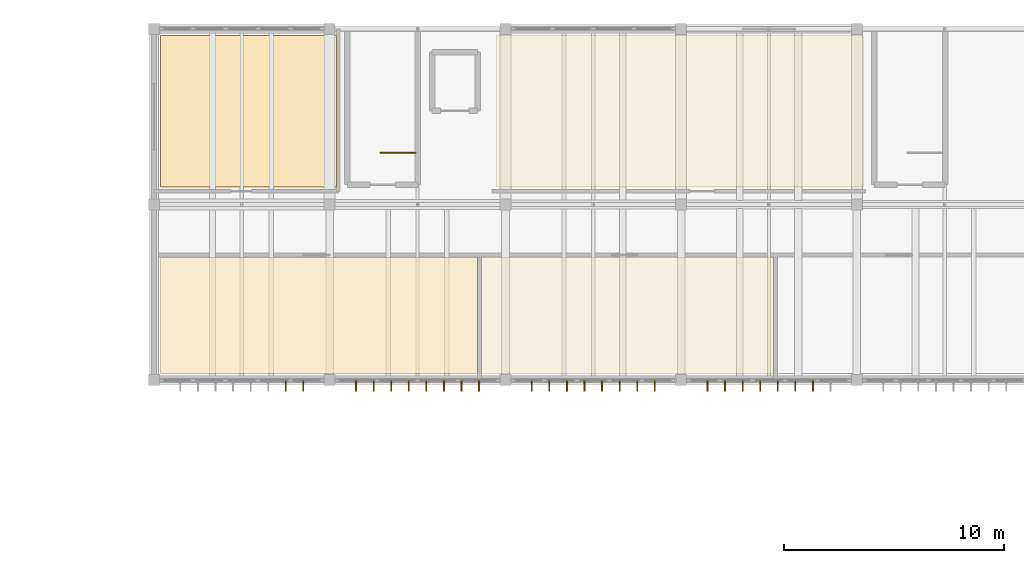
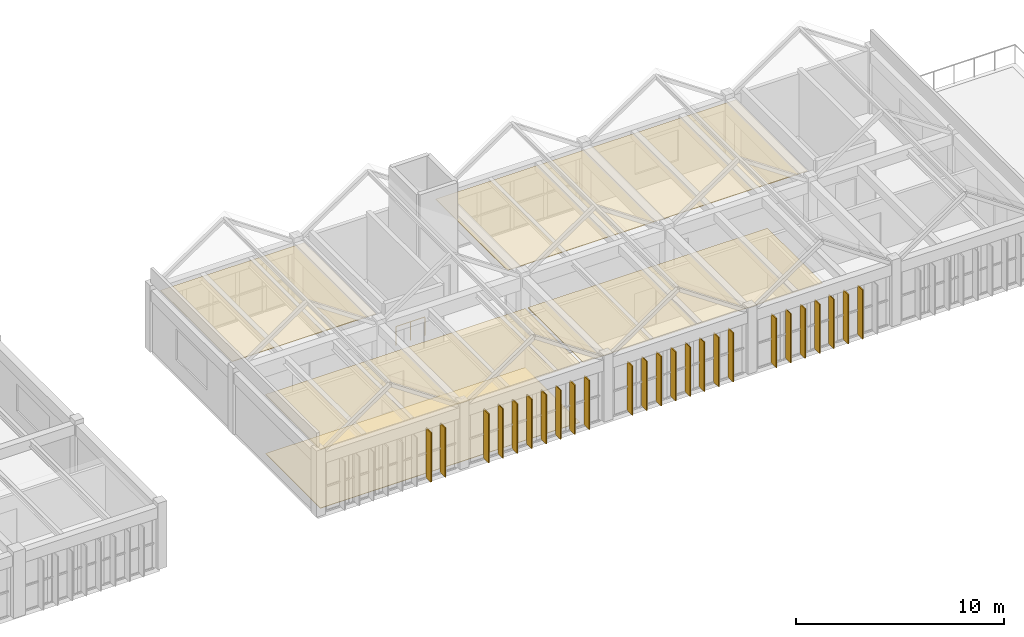
# One storey, part 29 of 31: 25 shading devices, 5 coverings, 1 railing.
"""IFC4 building model written with IfcOpenShell, lengths in metres."""

import ifcopenshell
import ifcopenshell.guid

model = None  # the IFC model being written
_history = None  # IfcOwnerHistory: only IFC2X3 demands one
_inside = {}  # id of a spatial element -> (the spatial element, [elements in it])
_under = {}  # id of a project, library or spatial element -> (it, [spatial elements below it])
_declared = {}  # id of a project -> (the project, [libraries it declares])
_typed = {}  # id of a type object -> (the type object, [elements of that type])
_made_of = {}  # id of a material, layer set ... -> (it, [elements and type objects made of it])


def new_model(schema):
    """Start an empty IFC model of exactly this schema.

    Asked for "IFC4X3", IfcOpenShell would pick the latest addendum, in which some entities
    have other attributes; the version numbers below select the first issue.
    IFC2X3 requires an IfcOwnerHistory on every rooted entity: one is made here for all.
    """
    global model, _history
    if schema == "IFC4X3":
        model = ifcopenshell.file(schema_version=(4, 3, 0, 0))
    else:
        model = ifcopenshell.file(schema=schema)
    _inside.clear()
    _under.clear()
    _declared.clear()
    _typed.clear()
    _made_of.clear()
    _history = None
    if model.schema == "IFC2X3":
        org = make("IfcOrganization", Name="unknown")
        user = make(
            "IfcPersonAndOrganization",
            ThePerson=make("IfcPerson", FamilyName="unknown"),
            TheOrganization=org,
        )
        app = make(
            "IfcApplication",
            ApplicationDeveloper=org,
            Version="unknown",
            ApplicationFullName="unknown",
            ApplicationIdentifier="unknown",
        )
        _history = make(
            "IfcOwnerHistory",
            OwningUser=user,
            OwningApplication=app,
            ChangeAction="ADDED",
            CreationDate=0,
        )
    return model


def make(cls, **values):
    """One entity of the class cls with the attributes given. An attribute that is None is left unset."""
    return model.create_entity(
        cls, **{name: value for name, value in values.items() if value is not None}
    )


def rooted(cls, **values):
    """An entity with a GlobalId (a new one), such as an element, a storey or a relation."""
    return make(cls, GlobalId=ifcopenshell.guid.new(), OwnerHistory=_history, **values)


def si_unit(unit_type, name, prefix=None):
    """IfcSIUnit, for example si_unit("LENGTHUNIT", "METRE", prefix="MILLI")."""
    return make("IfcSIUnit", UnitType=unit_type, Prefix=prefix, Name=name)


def assignment(units):
    """IfcUnitAssignment: the units of a project."""
    return None if units is None else make("IfcUnitAssignment", Units=units)


def point(xyz):
    """IfcCartesianPoint."""
    return None if xyz is None else make("IfcCartesianPoint", Coordinates=xyz)


def direction(xyz):
    """IfcDirection."""
    return None if xyz is None else make("IfcDirection", DirectionRatios=xyz)


def frame(location, z_axis=None, x_axis=None):
    """IfcAxis2Placement3D, a coordinate frame: its origin and axes. An axis left out is left unset."""
    return make(
        "IfcAxis2Placement3D",
        Location=point(location),
        Axis=direction(z_axis),
        RefDirection=direction(x_axis),
    )


def frame_2d(location, x_axis=None):
    """IfcAxis2Placement2D, a coordinate frame in the plane: its origin and x axis."""
    return make(
        "IfcAxis2Placement2D", Location=point(location), RefDirection=direction(x_axis)
    )


def origin():
    """The frame at (0, 0, 0) with its axes left unset."""
    return frame((0.0, 0.0, 0.0))


def origin_2d():
    """The frame at (0, 0) in the plane with its x axis left unset."""
    return frame_2d((0.0, 0.0))


def place(relative_to, where):
    """IfcLocalPlacement: puts the frame where relative to a parent placement (None: the world)."""
    return make(
        "IfcLocalPlacement", PlacementRelTo=relative_to, RelativePlacement=where
    )


def context(
    kind, dimensions, precision=None, world=None, true_north=None, identifier=None
):
    """IfcGeometricRepresentationContext, for example the 3D "Model" context."""
    return make(
        "IfcGeometricRepresentationContext",
        ContextIdentifier=identifier,
        ContextType=kind,
        CoordinateSpaceDimension=dimensions,
        Precision=precision,
        WorldCoordinateSystem=world,
        TrueNorth=true_north,
    )


def subcontext(parent, identifier, kind, view, scale=None):
    """IfcGeometricRepresentationSubContext, for example "Body" below "Model"."""
    return make(
        "IfcGeometricRepresentationSubContext",
        ContextIdentifier=identifier,
        ContextType=kind,
        ParentContext=parent,
        TargetScale=scale,
        TargetView=view,
    )


def project(units=None, contexts=None):
    """IfcProject with its units and contexts."""
    return rooted(
        "IfcProject",
        Name="project",
        RepresentationContexts=contexts,
        UnitsInContext=assignment(units),
    )


def spatial(cls, under=None, at=None, **own):
    """A site, building, storey or space (cls), placed at a placement, below another one or the project."""
    s = rooted(cls, ObjectPlacement=at, **own)
    if under is not None:
        _under.setdefault(under.id(), (under, []))[1].append(s)
    return s


def polyline(points):
    """IfcPolyline through the points."""
    return make("IfcPolyline", Points=[point(p) for p in points])


def profile(cls, at=None, kind="AREA", **sizes):
    """A parametric profile (cls). Its sizes go by their IFC names, for example OverallWidth=200.0."""
    return make(cls, ProfileType=kind, Position=at, **sizes)


def rectangle(**sizes):
    """IfcRectangleProfileDef."""
    return profile("IfcRectangleProfileDef", **sizes)


def circle(**sizes):
    """IfcCircleProfileDef."""
    return profile("IfcCircleProfileDef", **sizes)


def outline(outer, holes=None, kind="AREA"):
    """IfcArbitraryClosedProfileDef: a profile drawn as a closed curve; with holes, ...WithVoids."""
    if holes is None:
        return make("IfcArbitraryClosedProfileDef", ProfileType=kind, OuterCurve=outer)
    return make(
        "IfcArbitraryProfileDefWithVoids",
        ProfileType=kind,
        OuterCurve=outer,
        InnerCurves=holes,
    )


def extrude(swept, where, along, depth):
    """IfcExtrudedAreaSolid: the profile swept, set in the frame where, extruded along a direction by depth."""
    return make(
        "IfcExtrudedAreaSolid",
        SweptArea=swept,
        Position=where,
        ExtrudedDirection=direction(along),
        Depth=depth,
    )


def shape(context_of_items, identifier, shape_type, items):
    """IfcShapeRepresentation: the items that make up one representation, for example the "Body"."""
    return make(
        "IfcShapeRepresentation",
        ContextOfItems=context_of_items,
        RepresentationIdentifier=identifier,
        RepresentationType=shape_type,
        Items=items,
    )


def material(Name=None, Category=None):
    """IfcMaterial."""
    return make("IfcMaterial", Name=Name, Category=Category)


def layer(
    of_material, thickness, ventilated=None, Name=None, Category=None, Priority=None
):
    """IfcMaterialLayer: one layer of a wall or slab, of a material (None: an air gap)."""
    return make(
        "IfcMaterialLayer",
        Material=of_material,
        LayerThickness=thickness,
        IsVentilated=ventilated,
        Name=Name,
        Category=Category,
        Priority=Priority,
    )


def layer_set(layers, Name=None):
    """IfcMaterialLayerSet."""
    return make("IfcMaterialLayerSet", MaterialLayers=layers, LayerSetName=Name)


def made_of(thing, what):
    """Note that an element or type object is made of a material, layer set ...; save() writes the relation."""
    if what is not None:
        _made_of.setdefault(what.id(), (what, []))[1].append(thing)
    return thing


def type_object(cls, material=None, **own):
    """A type object (cls), such as IfcWallType, which elements share."""
    return made_of(rooted(cls, **own), material)


def element(
    cls,
    number,
    at=None,
    inside=None,
    cuts=None,
    type_object=None,
    material=None,
    context=None,
    identifier="Body",
    shape_type=None,
    held_by="IfcProductDefinitionShape",
    body=None,
    shapes=None,
    **own,
):
    """One element of the class cls, such as IfcWall. Its Tag is "e" and its number.

    at: its placement. inside: the storey or other place that contains it. cuts: it is an
    opening in that element (IfcRelVoidsElement). A single representation is given by context,
    identifier, shape_type and body (its items); several are given by shapes. held_by: the class
    of the entity that holds the representations. save() writes the other relations.
    """
    e = rooted(cls, Tag="e%d" % number, ObjectPlacement=at, **own)
    if body is not None:
        shapes = [shape(context, identifier, shape_type, body)]
    if shapes is not None:
        e.Representation = make(held_by, Representations=shapes)
    if inside is not None:
        _inside.setdefault(inside.id(), (inside, []))[1].append(e)
    if cuts is not None:
        rooted(
            "IfcRelVoidsElement", RelatingBuildingElement=cuts, RelatedOpeningElement=e
        )
    if type_object is not None:
        _typed.setdefault(type_object.id(), (type_object, []))[1].append(e)
    return made_of(e, material)


def aggregate(whole, parts):
    """IfcRelAggregates: a whole, such as a stair, and the parts it consists of."""
    return rooted("IfcRelAggregates", RelatingObject=whole, RelatedObjects=parts)


def save(model, path):
    """Write the relations noted so far, then the file.

    IfcRelAggregates (storeys below a building ...), IfcRelContainedInSpatialStructure (elements
    in a storey), IfcRelDefinesByType, IfcRelAssociatesMaterial and IfcRelDeclares: one each for
    every whole, place, type object, material and project.
    """
    for whole, parts in _under.values():
        aggregate(whole, parts)
    for where, things in _inside.values():
        rooted(
            "IfcRelContainedInSpatialStructure",
            RelatedElements=things,
            RelatingStructure=where,
        )
    for kind, things in _typed.values():
        rooted("IfcRelDefinesByType", RelatedObjects=things, RelatingType=kind)
    for what, things in _made_of.values():
        rooted("IfcRelAssociatesMaterial", RelatedObjects=things, RelatingMaterial=what)
    for by, libraries in _declared.values():
        rooted("IfcRelDeclares", RelatingContext=by, RelatedDefinitions=libraries)
    model.write(path)


model = new_model("IFC4")

# Units and contexts
model_context = context("Model", 3, precision=1e-05, world=origin(), true_north=direction((0.0, 1.0)))
body_context = subcontext(model_context, "Body", "Model", "MODEL_VIEW")
ifc_project = project(units=[si_unit("LENGTHUNIT", "METRE"), si_unit("AREAUNIT", "SQUARE_METRE"), si_unit("VOLUMEUNIT", "CUBIC_METRE"), si_unit("PLANEANGLEUNIT", "RADIAN"), si_unit("MASSUNIT", "GRAM", prefix="KILO")], contexts=[model_context])

# Site, building, storey
site_placement = place(None, origin())
site = spatial("IfcSite", under=ifc_project, at=site_placement, CompositionType="ELEMENT")
building_placement = place(site_placement, origin())
building = spatial("IfcBuilding", under=site, at=building_placement, Name="Tlaxcora Railside Police Headquarters", CompositionType="ELEMENT")
storey_placement = place(building_placement, frame((0.0, 0.0, 18.0)))
storey = spatial("IfcBuildingStorey", under=building, at=storey_placement, Name="L04", CompositionType="ELEMENT", Elevation=18.0)

# Coverings
ifc_material_1 = material(Name="Mineral-fibre acoustic ceiling tile")
ifc_layer_1 = layer(ifc_material_1, 0.034912109375, Name="Mineral-fibre acoustic ceiling tile")
ifc_layer_set_1 = layer_set([ifc_layer_1], Name="Mineral-fibre acoustic ceiling tile")
covering_type_1 = type_object("IfcCoveringType", Name="Acoustic Suspended Ceiling CLG-01", PredefinedType="CEILING", material=ifc_layer_set_1)
covering_1_placement = place(storey_placement, frame((0.0, 0.0, 3.465087890625)))
element("IfcCovering", 1, at=covering_1_placement, inside=storey, type_object=covering_type_1, Name="Cold-Case Evidence Review and Standards Archive suspended ceiling", PredefinedType="CEILING", context=body_context, shape_type="SweptSolid", body=[
    extrude(outline(polyline([(117.696044921875, 77.10009765625), (131.014892578125, 77.10009765625), (131.014892578125, 82.39990234375), (117.696044921875, 82.39990234375), (117.696044921875, 77.10009765625)])), origin(), (0.0, 0.0, 1.0), 0.034912109375),
])
covering_2_placement = place(storey_placement, frame((0.0, 0.0, 3.465087890625)))
element("IfcCovering", 2, at=covering_2_placement, inside=storey, type_object=covering_type_1, Name="Accessible WC and Lab Restrooms L04 suspended ceiling", PredefinedType="CEILING", context=body_context, shape_type="SweptSolid", body=[
    extrude(outline(polyline([(103.10009765625, 85.60009765625), (111.10009765625, 85.60009765625), (111.10009765625, 92.5), (103.10009765625, 92.5), (103.10009765625, 85.60009765625)])), origin(), (0.0, 0.0, 1.0), 0.034912109375),
])
covering_3_placement = place(storey_placement, frame((0.0, 0.0, 3.465087890625)))
element("IfcCovering", 3, at=covering_3_placement, inside=storey, type_object=covering_type_1, Name="Chief Forensic Director Office suspended ceiling", PredefinedType="CEILING", context=body_context, shape_type="SweptSolid", body=[
    extrude(outline(polyline([(118.39990234375, 85.60009765625), (135.10009765625, 85.60009765625), (135.10009765625, 92.5), (118.39990234375, 92.5), (118.39990234375, 85.60009765625)])), origin(), (0.0, 0.0, 1.0), 0.034912109375),
])
ifc_material_2 = material(Name="Heavy-duty resin and raised-access technical flooring")
ifc_layer_2 = layer(ifc_material_2, 0.02490234375, Name="Heavy-duty resin and raised-access technical flooring")
ifc_layer_set_2 = layer_set([ifc_layer_2], Name="Heavy-duty resin and raised-access technical flooring")
covering_type_2 = type_object("IfcCoveringType", Name="Epoxy Chemical-Resistant Lab Flooring FLR-02", PredefinedType="FLOORING", material=ifc_layer_set_2)
covering_4_placement = place(storey_placement, origin())
element("IfcCovering", 4, at=covering_4_placement, inside=storey, type_object=covering_type_2, Name="Forensic Quality Assurance and Metrology Laboratory technical floor finish", PredefinedType="FLOORING", context=body_context, shape_type="SweptSolid", body=[
    extrude(outline(polyline([(103.10009765625, 77.10009765625), (117.535888671875, 77.10009765625), (117.535888671875, 82.39990234375), (103.10009765625, 82.39990234375), (103.10009765625, 77.10009765625)])), origin(), (0.0, 0.0, 1.0), 0.02490234375),
])
ifc_layer_3 = layer(ifc_material_1, 0.044921875, Name="Mineral-fibre acoustic ceiling tile")
ifc_layer_set_3 = layer_set([ifc_layer_3], Name="Mineral-fibre acoustic ceiling tile")
covering_type_3 = type_object("IfcCoveringType", Name="Laboratory Hygienic Ceiling CLG-02", PredefinedType="CEILING", material=ifc_layer_set_3)
covering_5_placement = place(storey_placement, frame((0.0, 0.0, 3.455078125)))
element("IfcCovering", 5, at=covering_5_placement, inside=storey, type_object=covering_type_3, Name="Forensic Quality Assurance and Metrology Laboratory suspended ceiling", PredefinedType="CEILING", context=body_context, shape_type="SweptSolid", body=[
    extrude(outline(polyline([(103.10009765625, 77.10009765625), (117.535888671875, 77.10009765625), (117.535888671875, 82.39990234375), (103.10009765625, 82.39990234375), (103.10009765625, 77.10009765625)])), origin(), (0.0, 0.0, 1.0), 0.044921875),
])

# Shading devices
ifc_material_3 = material(Name="Bronze-anodised perforated aluminium sheet", Category="aluminium")
ifc_layer_4 = layer(ifc_material_3, 0.06494140625, Name="Bronze-anodised perforated aluminium sheet")
ifc_layer_set_4 = layer_set([ifc_layer_4], Name="Bronze-anodised perforated aluminium sheet")
shading_device_type = type_object("IfcShadingDeviceType", Name="Solar Control Fin SF-02", PredefinedType="JALOUSIE", material=ifc_layer_set_4)
for number, where, z_axis, x_axis, name in (
    (6, (108.800048828125, 76.5400390625, 0.0400390625), (0.0, 0.0, 1.0), (0.0, -1.0, 0.0), "Vertical solar fin 934"),
    (7, (109.60009765625, 76.5400390625, 0.0400390625), (0.0, 0.0, 1.0), (0.0, -1.0, 0.0), "Vertical solar fin 935"),
    (8, (112.0, 76.5400390625, 0.0400390625), (0.0, 0.0, 1.0), (0.0, -1.0, 0.0), "Vertical solar fin 936"),
    (9, (112.800048828125, 76.5400390625, 0.0400390625), (0.0, 0.0, 1.0), (0.0, -1.0, 0.0), "Vertical solar fin 937"),
    (10, (113.60009765625, 76.5400390625, 0.0400390625), (0.0, 0.0, 1.0), (0.0, -1.0, 0.0), "Vertical solar fin 938"),
    (11, (114.39990234375, 76.5400390625, 0.0400390625), (0.0, 0.0, 1.0), (0.0, -1.0, 0.0), "Vertical solar fin 939"),
    (12, (115.199951171875, 76.5400390625, 0.0400390625), (0.0, 0.0, 1.0), (0.0, -1.0, 0.0), "Vertical solar fin 940"),
    (13, (116.0, 76.5400390625, 0.0400390625), (0.0, 0.0, 1.0), (0.0, -1.0, 0.0), "Vertical solar fin 941"),
    (14, (116.800048828125, 76.5400390625, 0.0400390625), (0.0, 0.0, 1.0), (0.0, -1.0, 0.0), "Vertical solar fin 942"),
    (15, (117.60009765625, 76.5400390625, 0.0400390625), (0.0, 0.0, 1.0), (0.0, -1.0, 0.0), "Vertical solar fin 943"),
    (16, (120.0, 76.5400390625, 0.0400390625), (0.0, 0.0, 1.0), (0.0, -1.0, 0.0), "Vertical solar fin 944"),
    (17, (120.800048828125, 76.5400390625, 0.0400390625), (0.0, 0.0, 1.0), (0.0, -1.0, 0.0), "Vertical solar fin 945"),
    (18, (121.60009765625, 76.5400390625, 0.0400390625), (0.0, 0.0, 1.0), (0.0, -1.0, 0.0), "Vertical solar fin 946"),
    (19, (122.39990234375, 76.5400390625, 0.0400390625), (0.0, 0.0, 1.0), (0.0, -1.0, 0.0), "Vertical solar fin 947"),
    (20, (123.199951171875, 76.5400390625, 0.0400390625), (0.0, 0.0, 1.0), (0.0, -1.0, 0.0), "Vertical solar fin 948"),
    (21, (124.0, 76.5400390625, 0.0400390625), (0.0, 0.0, 1.0), (0.0, -1.0, 0.0), "Vertical solar fin 949"),
    (22, (124.800048828125, 76.5400390625, 0.0400390625), (0.0, 0.0, 1.0), (0.0, -1.0, 0.0), "Vertical solar fin 950"),
    (23, (125.60009765625, 76.5400390625, 0.0400390625), (0.0, 0.0, 1.0), (0.0, -1.0, 0.0), "Vertical solar fin 951"),
    (24, (128.0, 76.5400390625, 0.0400390625), (0.0, 0.0, 1.0), (0.0, -1.0, 0.0), "Vertical solar fin 952"),
    (25, (128.800048828125, 76.5400390625, 0.0400390625), (0.0, 0.0, 1.0), (0.0, -1.0, 0.0), "Vertical solar fin 953"),
    (26, (129.60009765625, 76.5400390625, 0.0400390625), (0.0, 0.0, 1.0), (0.0, -1.0, 0.0), "Vertical solar fin 954"),
    (27, (130.39990234375, 76.5400390625, 0.0400390625), (0.0, 0.0, 1.0), (0.0, -1.0, 0.0), "Vertical solar fin 955"),
    (28, (131.199951171875, 76.5400390625, 0.0400390625), (0.0, 0.0, 1.0), (0.0, -1.0, 0.0), "Vertical solar fin 956"),
    (29, (132.0, 76.5400390625, 0.0400390625), (0.0, 0.0, 1.0), (0.0, -1.0, 0.0), "Vertical solar fin 957"),
    (30, (132.800048828125, 76.5400390625, 0.0400390625), (0.0, 0.0, 1.0), (0.0, -1.0, 0.0), "Vertical solar fin 958"),
):
    element("IfcShadingDevice", number, at=place(storey_placement, frame(where, z_axis=z_axis, x_axis=x_axis)), inside=storey, type_object=shading_device_type, Name=name, PredefinedType="JALOUSIE", context=body_context, shape_type="SweptSolid", body=[
        extrude(rectangle(XDim=0.47998046875, YDim=0.054931640625, at=origin_2d()), origin(), (0.0, 0.0, 1.0), 2.89990234375),
    ])

# Railing
ifc_material_4 = material(Name="Steel ASTM A992 Grade 50", Category="steel")
railing_type = type_object("IfcRailingType", Name="Stair Well Guard Balustrade GR-02", PredefinedType="BALUSTRADE", material=ifc_material_4)
railing_placement = place(storey_placement, frame((114.7099609375, 87.159912109375, 0.0)))
element("IfcRailing", 31, at=railing_placement, inside=storey, type_object=railing_type, Name="L04 ST3 top well guard 1", PredefinedType="BALUSTRADE", context=body_context, shape_type="SweptSolid", body=[
    extrude(circle(Radius=0.02392578125, at=origin_2d()), frame((0.0, 0.0, 1.09619140625), z_axis=(-1.0, 0.0, 0.0), x_axis=(0.0, -1.0, 0.0)), (0.0, 0.0, 1.0), 1.599853515625),
    extrude(circle(Radius=0.02099609375, at=origin_2d()), origin(), (0.0, 0.0, 1.0), 1.072021484375),
    extrude(circle(Radius=0.02099609375, at=origin_2d()), frame((-0.7998046875, 0.0, 0.0)), (0.0, 0.0, 1.0), 1.072021484375),
    extrude(circle(Radius=0.02099609375, at=origin_2d()), frame((-1.599853515625, 0.0, 0.0)), (0.0, 0.0, 1.0), 1.072021484375),
])

save(model, "model.ifc")
